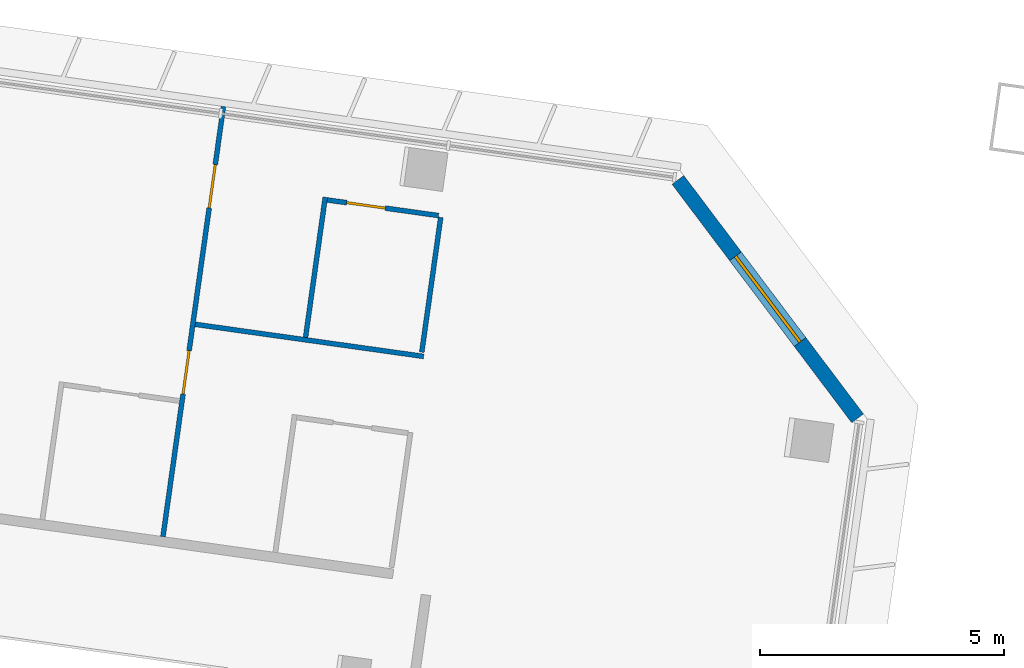
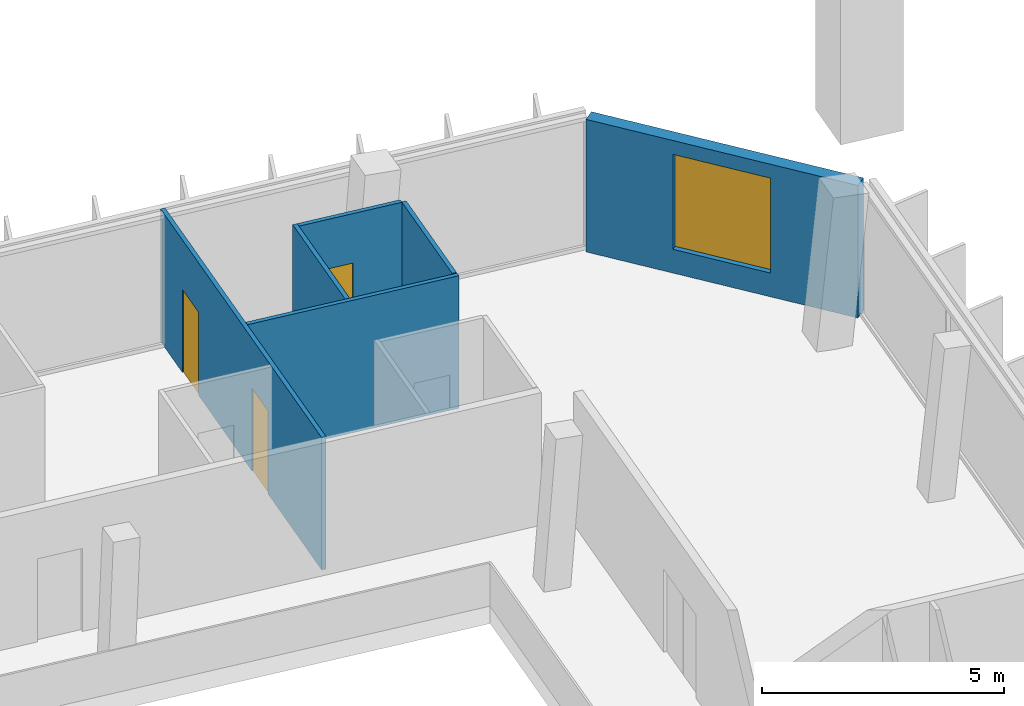
# One storey, part 16 of 23: 6 walls, 3 doors, 1 window, 4 openings.
"""IFC4 building model written with IfcOpenShell, lengths in metres."""

from ifc_helpers import new_model, si_unit, direction, frame, frame_2d, origin, place, context, subcontext, project, spatial, rectangle, extrude, material, layer, layer_set, type_object, element, fill, save


model = new_model("IFC4")

# Units and contexts
model_context = context("Model", 3, precision=1e-05, world=origin(), true_north=direction((0.0, 1.0)))
body_context = subcontext(model_context, "Body", "Model", "MODEL_VIEW")
ifc_project = project(units=[si_unit("LENGTHUNIT", "METRE"), si_unit("AREAUNIT", "SQUARE_METRE"), si_unit("VOLUMEUNIT", "CUBIC_METRE"), si_unit("PLANEANGLEUNIT", "RADIAN"), si_unit("MASSUNIT", "GRAM", prefix="KILO")], contexts=[model_context])

# Site, building, storey
site_placement = place(None, origin())
site = spatial("IfcSite", under=ifc_project, at=site_placement, CompositionType="ELEMENT")
building_placement = place(site_placement, origin())
building = spatial("IfcBuilding", under=site, at=building_placement, Name="Mirante Cascada Hotel Towers", CompositionType="ELEMENT")
storey_placement = place(building_placement, frame((0.0, 0.0, 195.4)))
storey = spatial("IfcBuildingStorey", under=building, at=storey_placement, Name="L46", CompositionType="ELEMENT", Elevation=195.4)

# Wall
ifc_material_1 = material(Name="Plasterboard on metal studs")
ifc_layer_1 = layer(ifc_material_1, 0.1)
ifc_layer_set_1 = layer_set([ifc_layer_1], Name="Partition 100")
wall_type_1 = type_object("IfcWallType", Name="Partition 100", PredefinedType="PARTITIONING", material=ifc_layer_set_1)
wall_1_placement = place(storey_placement, frame((-34.8435, 13.3232, 0.0), z_axis=(0.0, 0.0, 1.0), x_axis=(-0.9902687, 0.1391689, 0.0)))
element("IfcWall", 1, at=wall_1_placement, inside=storey, type_object=wall_type_1, Name="Wall 1-L46-21", PredefinedType="PARTITIONING", context=body_context, shape_type="SweptSolid", body=[
    extrude(rectangle(XDim=4.7245, YDim=0.1, at=frame_2d((2.3622, 0.0))), origin(), (0.0, 0.0, 1.0), 3.35),
])

# Wall, opening, door
wall_2_placement = place(storey_placement, frame((-34.5389, 16.2089, 0.0), z_axis=(0.0, 0.0, 1.0), x_axis=(-0.9902678, 0.1391749, 0.0)))
wall_2 = element("IfcWall", 2, at=wall_2_placement, inside=storey, type_object=wall_type_1, Name="Wall 1-L46-23", PredefinedType="PARTITIONING", context=body_context, shape_type="SweptSolid", body=[
    extrude(rectangle(XDim=2.3, YDim=0.1, at=frame_2d((1.15, 0.0))), origin(), (0.0, 0.0, 1.0), 3.35),
])
opening_1_placement = place(wall_2_placement, frame((1.1, 0.0, 0.0)))
opening_1 = element("IfcOpeningElement", 3, at=opening_1_placement, cuts=wall_2, Name="Opening D1-L46-17", PredefinedType="OPENING", context=body_context, shape_type="SweptSolid", body=[
    extrude(rectangle(XDim=0.8, YDim=2.1, at=frame_2d((0.4, 1.05))), frame((0.0, 0.05, 0.0), z_axis=(0.0, -1.0, 0.0), x_axis=(1.0, 0.0, 0.0)), (0.0, 0.0, 1.0), 0.1),
])
ifc_material_2 = material(Name="Timber door leaf", Category="wood")
door_type_1 = type_object("IfcDoorType", Name="Bathroom door DG4 800x2100", OperationType="SINGLE_SWING_LEFT", PredefinedType="DOOR", material=ifc_material_2)
door_1_placement = place(opening_1_placement, origin())
door_1 = element("IfcDoor", 4, at=door_1_placement, inside=storey, type_object=door_type_1, Name="Door D1-L46-17", OperationType="SINGLE_SWING_LEFT", OverallHeight=2.1, OverallWidth=0.8, PredefinedType="DOOR", context=body_context, shape_type="SweptSolid", body=[
    extrude(rectangle(XDim=0.8, YDim=2.1, at=frame_2d((0.4, 1.05))), frame((0.0, 0.025, 0.0), z_axis=(0.0, -1.0, 0.0), x_axis=(1.0, 0.0, 0.0)), (0.0, 0.0, 1.0), 0.05),
])
fill(opening_1, door_1)

# Walls
wall_3_placement = place(storey_placement, frame((-34.4935, 16.1722, 0.0), z_axis=(0.0, 0.0, 1.0), x_axis=(-0.1391779, -0.9902674, 0.0)))
element("IfcWall", 5, at=wall_3_placement, inside=storey, type_object=wall_type_1, Name="Wall 1-L46-32", PredefinedType="PARTITIONING", context=body_context, shape_type="SweptSolid", body=[
    extrude(rectangle(XDim=2.79, YDim=0.1, at=frame_2d((1.395, 0.0))), origin(), (0.0, 0.0, 1.0), 3.35),
])
wall_4_placement = place(storey_placement, frame((-36.8591, 16.5855, 0.0), z_axis=(0.0, 0.0, 1.0), x_axis=(-0.1391714, -0.9902683, 0.0)))
element("IfcWall", 6, at=wall_4_placement, inside=storey, type_object=wall_type_1, Name="Wall 1-L46-34", PredefinedType="PARTITIONING", context=body_context, shape_type="SweptSolid", body=[
    extrude(rectangle(XDim=2.9, YDim=0.1, at=frame_2d((1.45, 0.0))), origin(), (0.0, 0.0, 1.0), 3.35),
])

# Wall, openings, doors
wall_5_placement = place(storey_placement, frame((-40.1839, 9.6305, 0.0), z_axis=(0.0, 0.0, 1.0), x_axis=(0.1391794, 0.9902672, 0.0)))
wall_5 = element("IfcWall", 7, at=wall_5_placement, inside=storey, type_object=wall_type_1, Name="Wall 1-L46-35", PredefinedType="PARTITIONING", context=body_context, shape_type="SweptSolid", body=[
    extrude(rectangle(XDim=8.9, YDim=0.1, at=frame_2d((4.45, 0.0))), origin(), (0.0, 0.0, 1.0), 3.35),
])
opening_2_placement = place(wall_5_placement, frame((2.95, 0.0, 0.0)))
opening_2 = element("IfcOpeningElement", 8, at=opening_2_placement, cuts=wall_5, Name="Opening D1-L46-24", PredefinedType="OPENING", context=body_context, shape_type="SweptSolid", body=[
    extrude(rectangle(XDim=0.9, YDim=2.1, at=frame_2d((0.45, 1.05))), frame((0.0, 0.05, 0.0), z_axis=(0.0, -1.0, 0.0), x_axis=(1.0, 0.0, 0.0)), (0.0, 0.0, 1.0), 0.1),
])
opening_3_placement = place(wall_5_placement, frame((6.8, 0.0, 0.0)))
opening_3 = element("IfcOpeningElement", 9, at=opening_3_placement, cuts=wall_5, Name="Opening D1-L46-25", PredefinedType="OPENING", context=body_context, shape_type="SweptSolid", body=[
    extrude(rectangle(XDim=0.9, YDim=2.1, at=frame_2d((0.45, 1.05))), frame((0.0, 0.05, 0.0), z_axis=(0.0, -1.0, 0.0), x_axis=(1.0, 0.0, 0.0)), (0.0, 0.0, 1.0), 0.1),
])
ifc_material_3 = material(Name="Timber door leaf", Category="wood")
door_type_2 = type_object("IfcDoorType", Name="Room door DG3 900x2100", OperationType="SINGLE_SWING_LEFT", PredefinedType="DOOR", material=ifc_material_3)
door_2_placement = place(opening_2_placement, origin())
door_2 = element("IfcDoor", 10, at=door_2_placement, inside=storey, type_object=door_type_2, Name="Door D1-L46-24", OperationType="SINGLE_SWING_LEFT", OverallHeight=2.1, OverallWidth=0.9, PredefinedType="DOOR", context=body_context, shape_type="SweptSolid", body=[
    extrude(rectangle(XDim=0.9, YDim=2.1, at=frame_2d((0.45, 1.05))), frame((0.0, 0.025, 0.0), z_axis=(0.0, -1.0, 0.0), x_axis=(1.0, 0.0, 0.0)), (0.0, 0.0, 1.0), 0.05),
])
fill(opening_2, door_2)
door_3_placement = place(opening_3_placement, origin())
door_3 = element("IfcDoor", 11, at=door_3_placement, inside=storey, type_object=door_type_2, Name="Door D1-L46-25", OperationType="SINGLE_SWING_LEFT", OverallHeight=2.1, OverallWidth=0.9, PredefinedType="DOOR", context=body_context, shape_type="SweptSolid", body=[
    extrude(rectangle(XDim=0.9, YDim=2.1, at=frame_2d((0.45, 1.05))), frame((0.0, 0.025, 0.0), z_axis=(0.0, -1.0, 0.0), x_axis=(1.0, 0.0, 0.0)), (0.0, 0.0, 1.0), 0.05),
])
fill(opening_3, door_3)

# Wall, opening, window
ifc_material_4 = material(Name="Precast concrete C40/50", Category="concrete")
ifc_layer_2 = layer(ifc_material_4, 0.3)
ifc_layer_set_2 = layer_set([ifc_layer_2], Name="Precast concrete C40/50 cladding wall 300")
wall_type_2 = type_object("IfcWallType", Name="Precast concrete C40/50 cladding wall 300", PredefinedType="STANDARD", material=ifc_layer_set_2)
wall_6_placement = place(storey_placement, frame((-29.6332, 16.9394, 0.0), z_axis=(0.0, 0.0, 1.0), x_axis=(0.6018245, -0.7986283, 0.0)))
wall_6 = element("IfcWall", 12, at=wall_6_placement, inside=storey, type_object=wall_type_2, Name="Corner cladding wall T1 L46 front inner", PredefinedType="STANDARD", context=body_context, shape_type="SweptSolid", body=[
    extrude(rectangle(XDim=6.1157, YDim=0.3, at=frame_2d((3.0578, 0.0))), origin(), (0.0, 0.0, 1.0), 3.35),
])
opening_4_placement = place(wall_6_placement, frame((1.9578, 0.0, 0.6)))
opening_4 = element("IfcOpeningElement", 13, at=opening_4_placement, cuts=wall_6, Name="Opening W1-46-03", PredefinedType="OPENING", context=body_context, shape_type="SweptSolid", body=[
    extrude(rectangle(XDim=2.2, YDim=2.4, at=frame_2d((1.1, 1.2))), frame((0.0, 0.15, 0.0), z_axis=(0.0, -1.0, 0.0), x_axis=(1.0, 0.0, 0.0)), (0.0, 0.0, 1.0), 0.3),
])
ifc_material_5 = material(Name="Aluminium frame with clear double glazing", Category="aluminium")
window_type = type_object("IfcWindowType", Name="Corner suite window 2200x2400", PartitioningType="DOUBLE_PANEL_VERTICAL", PredefinedType="WINDOW", material=ifc_material_5)
window_placement = place(opening_4_placement, origin())
window = element("IfcWindow", 14, at=window_placement, inside=storey, type_object=window_type, Name="Window W1-46-03", OverallHeight=2.4, OverallWidth=2.2, PartitioningType="SINGLE_PANEL", PredefinedType="WINDOW", context=body_context, shape_type="SweptSolid", body=[
    extrude(rectangle(XDim=2.2, YDim=2.4, at=frame_2d((1.1, 1.2))), frame((0.0, 0.03, 0.0), z_axis=(0.0, -1.0, 0.0), x_axis=(1.0, 0.0, 0.0)), (0.0, 0.0, 1.0), 0.06),
])
fill(opening_4, window)

save(model, "model.ifc")
